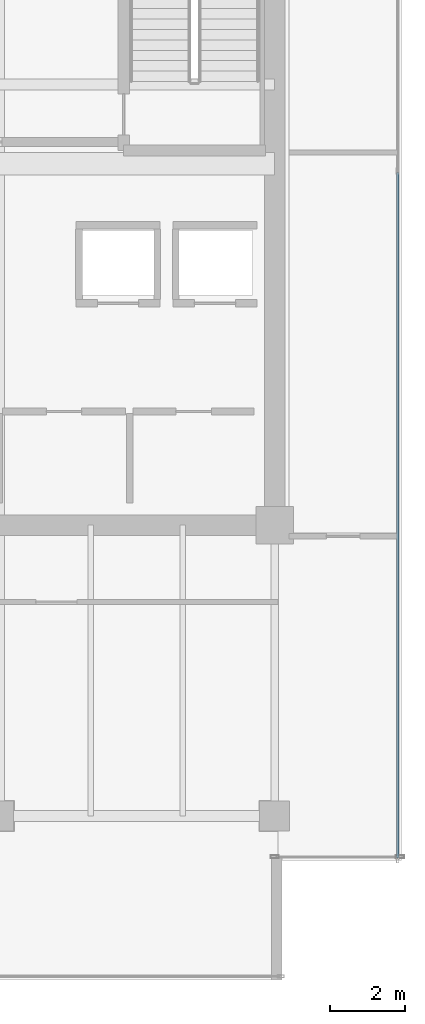
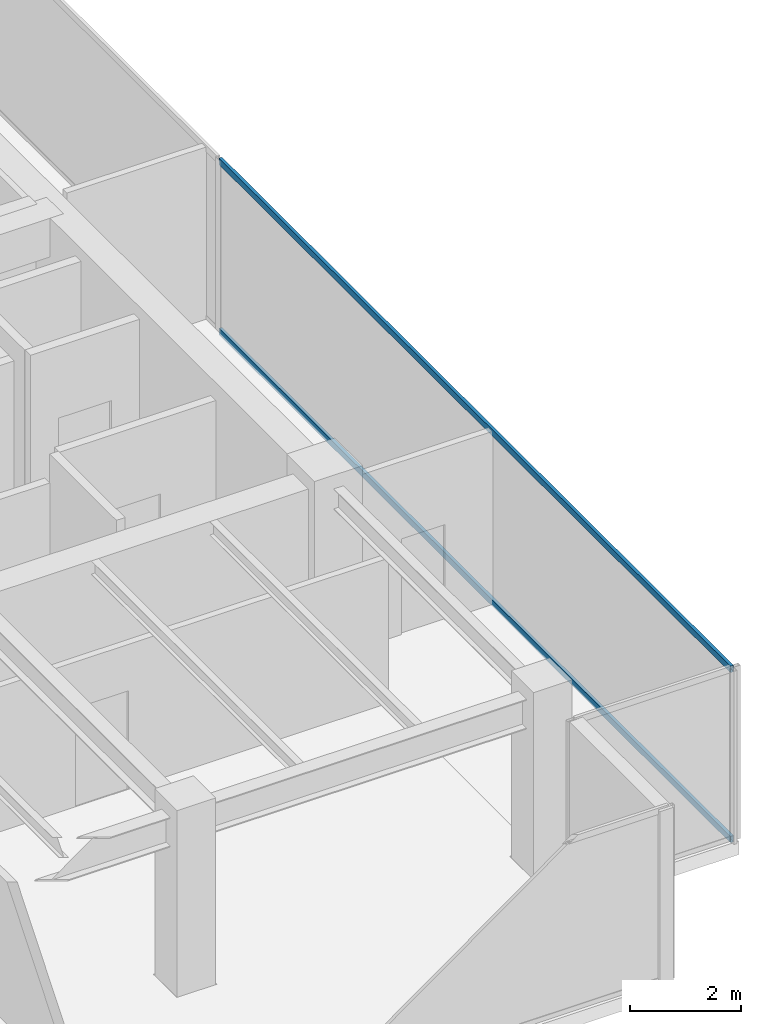
# One storey, part 23 of 35: 2 members, 1 element without a shape of its own.
"""IFC4 building model written with IfcOpenShell, lengths in metres."""

from ifc_helpers import new_model, si_unit, direction, frame, origin, origin_2d, place, context, subcontext, project, spatial, hollow_rectangle, extrude, source, transform, mapped, material, layer, layer_set, material_profile, profile_set, type_object, type_shapes, element, aggregate, save


model = new_model("IFC4")

# Units and contexts
model_context = context("Model", 3, precision=1e-05, world=origin(), true_north=direction((0.0, 1.0)))
body_context = subcontext(model_context, "Body", "Model", "MODEL_VIEW")
ifc_project = project(units=[si_unit("LENGTHUNIT", "METRE"), si_unit("AREAUNIT", "SQUARE_METRE"), si_unit("VOLUMEUNIT", "CUBIC_METRE"), si_unit("PLANEANGLEUNIT", "RADIAN"), si_unit("MASSUNIT", "GRAM", prefix="KILO")], contexts=[model_context])

# Site, building, storey
site_placement = place(None, origin())
site = spatial("IfcSite", under=ifc_project, at=site_placement, CompositionType="ELEMENT")
building_placement = place(site_placement, origin())
building = spatial("IfcBuilding", under=site, at=building_placement, Name="Haelvirn Gate Laboratories", CompositionType="ELEMENT")
storey_placement = place(building_placement, frame((0.0, 0.0, 226.0)))
storey = spatial("IfcBuildingStorey", under=building, at=storey_placement, Name="L54", CompositionType="ELEMENT", Elevation=226.0)

# Curtain wall, members
ifc_material_1 = material(Name="Anodised bronze unitised aluminium & triple low-E glass", Category="aluminium")
ifc_layer = layer(ifc_material_1, 0.176025390625, Name="CW-SYS-4")
ifc_layer_set = layer_set([ifc_layer], Name="Anodised bronze unitised aluminium & triple low-E glass")
curtain_wall_type = type_object("IfcCurtainWallType", Name="CW-SYS-4", PredefinedType="NOTDEFINED", material=ifc_layer_set)
curtain_wall_placement = place(storey_placement, origin())
curtain_wall = element("IfcCurtainWall", 1, at=curtain_wall_placement, inside=storey, type_object=curtain_wall_type, Name="L54 Unitised Curtain Wall CW-L54-P0-E07", PredefinedType="NOTDEFINED")
ifc_material_2 = material(Name="Extruded aluminium 6063-T6 (anodised bronze)", Category="aluminium")
ifc_material_profile = material_profile(ifc_material_2, hollow_rectangle(XDim=0.06494140625, YDim=0.139892578125, WallThickness=0.00390625, at=origin_2d()), Name="CWT-140x65x4")
ifc_profile_set = profile_set([ifc_material_profile], Name="Extruded aluminium 6063-T6 (anodised bronze)")
member_type = type_object("IfcMemberType", Name="CWT-T140", PredefinedType="USERDEFINED", material=ifc_profile_set)
shared_shape = source(origin(), body_context, "Body", "SweptSolid", [
    extrude(hollow_rectangle(XDim=0.06494140625, YDim=0.139892578125, WallThickness=0.00390625, at=origin_2d()), origin(), (0.0, 0.0, 1.0), 18.394775390625),
])
type_shapes(member_type, [shared_shape])
member_1_placement = place(storey_placement, frame((70.699951171875, 5.8701171875, 0.032470703125), z_axis=(0.0, 1.0, 0.0), x_axis=(-1.0, 0.0, 0.0)))
member_1 = element("IfcMember", 2, at=member_1_placement, type_object=member_type, Name="CW4 transom 1.1", ObjectType="TRANSOM", PredefinedType="USERDEFINED", context=body_context, shape_type="MappedRepresentation", body=[
    mapped(shared_shape, transform((0.0, 0.0, 0.0), scale=1.0)),
])
member_2_placement = place(storey_placement, frame((70.699951171875, 5.8701171875, 3.767578125), z_axis=(0.0, 1.0, 0.0), x_axis=(-1.0, 0.0, 0.0)))
member_2 = element("IfcMember", 3, at=member_2_placement, type_object=member_type, Name="CW4 transom 1.2", ObjectType="TRANSOM", PredefinedType="USERDEFINED", context=body_context, shape_type="MappedRepresentation", body=[
    mapped(shared_shape, transform((0.0, 0.0, 0.0), scale=1.0)),
])
aggregate(curtain_wall, [member_1, member_2])

save(model, "model.ifc")
